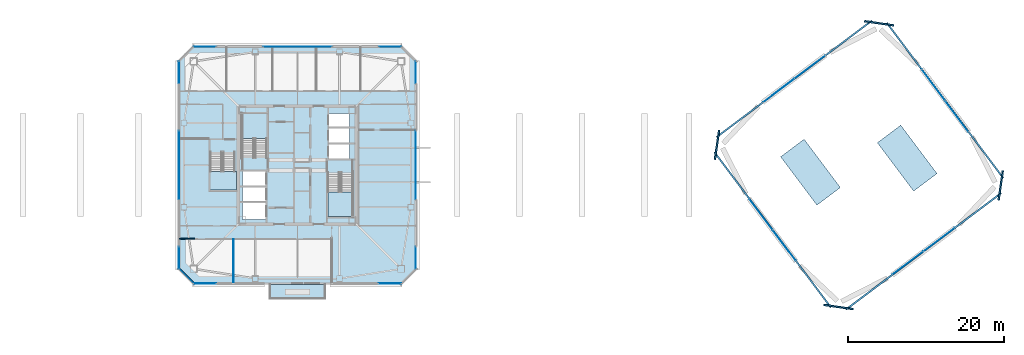
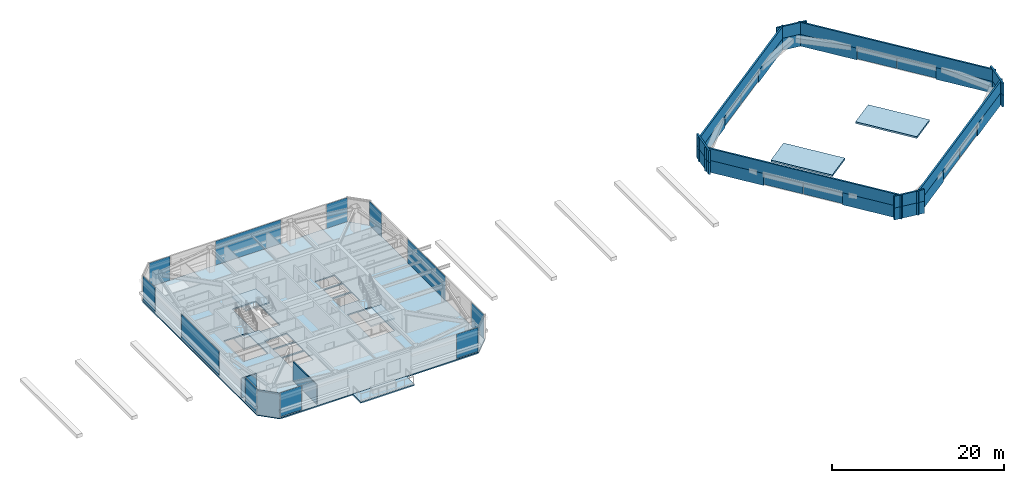
# One storey, part 24 of 31: 39 plates, 7 slabs, 3 walls, 18 elements without a shape of their own.
"""IFC4 building model written with IfcOpenShell, lengths in metres."""

from ifc_helpers import new_model, si_unit, direction, frame, frame_2d, origin, origin_2d, place, context, subcontext, project, spatial, polyline, rectangle, outline, extrude, material, layer, layer_set, type_object, element, aggregate, save


model = new_model("IFC4")

# Units and contexts
model_context = context("Model", 3, precision=1e-05, world=origin(), true_north=direction((0.0, 1.0)))
body_context = subcontext(model_context, "Body", "Model", "MODEL_VIEW")
ifc_project = project(units=[si_unit("LENGTHUNIT", "METRE"), si_unit("AREAUNIT", "SQUARE_METRE"), si_unit("VOLUMEUNIT", "CUBIC_METRE"), si_unit("PLANEANGLEUNIT", "RADIAN"), si_unit("MASSUNIT", "GRAM", prefix="KILO")], contexts=[model_context])

# Site, building, storey
site_placement = place(None, origin())
site = spatial("IfcSite", under=ifc_project, at=site_placement, CompositionType="ELEMENT")
building_placement = place(site_placement, origin())
building = spatial("IfcBuilding", under=site, at=building_placement, Name="Tashvorn Skyway Center", CompositionType="ELEMENT")
storey_placement = place(building_placement, frame((0.0, 0.0, 266.949951171875)))
storey = spatial("IfcBuildingStorey", under=building, at=storey_placement, Name="L72", CompositionType="ELEMENT", Elevation=266.949951171875)

# Curtain wall, plates
ifc_material_1 = material(Name="Thermally broken bronze-anodized aluminium 6063-T6", Category="aluminium")
curtain_wall_type_1 = type_object("IfcCurtainWallType", Name="CW-CW-SKY", PredefinedType="NOTDEFINED", material=ifc_material_1)
curtain_wall_1_placement = place(storey_placement, origin())
curtain_wall_1 = element("IfcCurtainWall", 1, at=curtain_wall_1_placement, inside=storey, type_object=curtain_wall_type_1, Name="CROWN Lantern Fritted Curtain Wall T2 S-4", PredefinedType="NOTDEFINED")
ifc_material_2 = material(Name="Low-E solar-control double insulating safety glass", Category="glass")
ifc_layer_1 = layer(ifc_material_2, 0.028076171875)
ifc_layer_set_1 = layer_set([ifc_layer_1], Name="Low-E solar-control double insulating safety glass")
plate_type_1 = type_object("IfcPlateType", Name="CWP-CW-SKY", PredefinedType="CURTAIN_PANEL", material=ifc_layer_set_1)
plate_1_placement = place(storey_placement, frame((124.299072265625, 22.44921875, 1.51025390625), z_axis=(0.0, 0.0, 1.0), x_axis=(-0.799999999998, -0.600000000002, 0.0)))
plate_1 = element("IfcPlate", 2, at=plate_1_placement, type_object=plate_type_1, Name="CW-SKY panel 1.1", PredefinedType="CURTAIN_PANEL", context=body_context, shape_type="SweptSolid", body=[
    extrude(rectangle(XDim=4.952392578125, YDim=0.028076171875, at=origin_2d()), origin(), (0.0, 0.0, 1.0), 1.534912109375),
])
plate_2_placement = place(storey_placement, frame((120.284912109375, 19.438720703125, 1.51025390625), z_axis=(0.0, 0.0, 1.0), x_axis=(-0.799999999998, -0.600000000002, 0.0)))
plate_2 = element("IfcPlate", 3, at=plate_2_placement, type_object=plate_type_1, Name="CW-SKY panel 2.1", PredefinedType="CURTAIN_PANEL", context=body_context, shape_type="SweptSolid", body=[
    extrude(rectangle(XDim=4.952392578125, YDim=0.028076171875, at=origin_2d()), origin(), (0.0, 0.0, 1.0), 1.534912109375),
])
aggregate(curtain_wall_1, [plate_1, plate_2])

curtain_wall_2_placement = place(storey_placement, origin())
curtain_wall_2 = element("IfcCurtainWall", 4, at=curtain_wall_2_placement, inside=storey, type_object=curtain_wall_type_1, Name="CROWN Lantern Fritted Curtain Wall T2 E-4", PredefinedType="NOTDEFINED")
plate_3_placement = place(storey_placement, frame((123.55078125, 42.299072265625, 1.51025390625), z_axis=(0.0, 0.0, 1.0), x_axis=(0.600000000002, -0.799999999998, 0.0)))
plate_3 = element("IfcPlate", 5, at=plate_3_placement, type_object=plate_type_1, Name="CW-SKY panel 1.1", PredefinedType="CURTAIN_PANEL", context=body_context, shape_type="SweptSolid", body=[
    extrude(rectangle(XDim=4.952392578125, YDim=0.028076171875, at=origin_2d()), origin(), (0.0, 0.0, 1.0), 1.534912109375),
])
plate_4_placement = place(storey_placement, frame((126.561279296875, 38.284912109375, 1.51025390625), z_axis=(0.0, 0.0, 1.0), x_axis=(0.600000000002, -0.799999999998, 0.0)))
plate_4 = element("IfcPlate", 6, at=plate_4_placement, type_object=plate_type_1, Name="CW-SKY panel 2.1", PredefinedType="CURTAIN_PANEL", context=body_context, shape_type="SweptSolid", body=[
    extrude(rectangle(XDim=4.952392578125, YDim=0.028076171875, at=origin_2d()), origin(), (0.0, 0.0, 1.0), 1.534912109375),
])
aggregate(curtain_wall_2, [plate_3, plate_4])

curtain_wall_3_placement = place(storey_placement, origin())
curtain_wall_3 = element("IfcCurtainWall", 7, at=curtain_wall_3_placement, inside=storey, type_object=curtain_wall_type_1, Name="CROWN Lantern Fritted Curtain Wall T2 N-4", PredefinedType="NOTDEFINED")
plate_5_placement = place(storey_placement, frame((103.700927734375, 41.55078125, 1.51025390625), z_axis=(0.0, 0.0, 1.0), x_axis=(0.799999999998, 0.600000000002, 0.0)))
plate_5 = element("IfcPlate", 8, at=plate_5_placement, type_object=plate_type_1, Name="CW-SKY panel 1.1", PredefinedType="CURTAIN_PANEL", context=body_context, shape_type="SweptSolid", body=[
    extrude(rectangle(XDim=4.952392578125, YDim=0.028076171875, at=origin_2d()), origin(), (0.0, 0.0, 1.0), 1.534912109375),
])
plate_6_placement = place(storey_placement, frame((107.715087890625, 44.561279296875, 1.51025390625), z_axis=(0.0, 0.0, 1.0), x_axis=(0.799999999998, 0.600000000002, 0.0)))
plate_6 = element("IfcPlate", 9, at=plate_6_placement, type_object=plate_type_1, Name="CW-SKY panel 2.1", PredefinedType="CURTAIN_PANEL", context=body_context, shape_type="SweptSolid", body=[
    extrude(rectangle(XDim=4.952392578125, YDim=0.028076171875, at=origin_2d()), origin(), (0.0, 0.0, 1.0), 1.534912109375),
])
aggregate(curtain_wall_3, [plate_5, plate_6])

curtain_wall_4_placement = place(storey_placement, origin())
curtain_wall_4 = element("IfcCurtainWall", 10, at=curtain_wall_4_placement, inside=storey, type_object=curtain_wall_type_1, Name="CROWN Lantern Fritted Curtain Wall T2 W-4", PredefinedType="NOTDEFINED")
plate_7_placement = place(storey_placement, frame((104.44921875, 21.700927734375, 1.51025390625), z_axis=(0.0, 0.0, 1.0), x_axis=(-0.600000000002, 0.799999999998, 0.0)))
plate_7 = element("IfcPlate", 11, at=plate_7_placement, type_object=plate_type_1, Name="CW-SKY panel 1.1", PredefinedType="CURTAIN_PANEL", context=body_context, shape_type="SweptSolid", body=[
    extrude(rectangle(XDim=4.952392578125, YDim=0.028076171875, at=origin_2d()), origin(), (0.0, 0.0, 1.0), 1.534912109375),
])
plate_8_placement = place(storey_placement, frame((101.438720703125, 25.715087890625, 1.51025390625), z_axis=(0.0, 0.0, 1.0), x_axis=(-0.600000000002, 0.799999999998, 0.0)))
plate_8 = element("IfcPlate", 12, at=plate_8_placement, type_object=plate_type_1, Name="CW-SKY panel 2.1", PredefinedType="CURTAIN_PANEL", context=body_context, shape_type="SweptSolid", body=[
    extrude(rectangle(XDim=4.952392578125, YDim=0.028076171875, at=origin_2d()), origin(), (0.0, 0.0, 1.0), 1.534912109375),
])
aggregate(curtain_wall_4, [plate_7, plate_8])

# Curtain wall, plate
curtain_wall_type_2 = type_object("IfcCurtainWallType", Name="CW-CW-Z5", PredefinedType="NOTDEFINED", material=ifc_material_1)
curtain_wall_5_placement = place(storey_placement, origin())
curtain_wall_5 = element("IfcCurtainWall", 13, at=curtain_wall_5_placement, inside=storey, type_object=curtain_wall_type_2, Name="Tower 1 L72 South Curtain Wall L Glazing Group 1", PredefinedType="NOTDEFINED")
ifc_layer_2 = layer(ifc_material_2, 0.031982421875)
ifc_layer_set_2 = layer_set([ifc_layer_2], Name="Low-E solar-control double insulating safety glass")
plate_type_2 = type_object("IfcPlateType", Name="CWP-CW-Z5", PredefinedType="CURTAIN_PANEL", material=ifc_layer_set_2)
plate_9_placement = place(storey_placement, frame((53.8583984375, 16.820068359375, 0.0703125), z_axis=(0.0, 0.0, 1.0), x_axis=(-1.0, 0.0, 0.0)))
plate_9 = element("IfcPlate", 14, at=plate_9_placement, type_object=plate_type_2, Name="CW-Z5 panel 1.1", PredefinedType="CURTAIN_PANEL", context=body_context, shape_type="SweptSolid", body=[
    extrude(rectangle(XDim=2.9033203125, YDim=0.031982421875, at=origin_2d()), origin(), (0.0, 0.0, 1.0), 3.409912109375),
])
aggregate(curtain_wall_5, [plate_9])

curtain_wall_6_placement = place(storey_placement, origin())
curtain_wall_6 = element("IfcCurtainWall", 15, at=curtain_wall_6_placement, inside=storey, type_object=curtain_wall_type_2, Name="Tower 1 L72 South Curtain Wall R Glazing Group 1", PredefinedType="NOTDEFINED")
plate_10_placement = place(storey_placement, frame((30.1416015625, 16.820068359375, 0.0703125), z_axis=(0.0, 0.0, 1.0), x_axis=(-1.0, 0.0, 0.0)))
plate_10 = element("IfcPlate", 16, at=plate_10_placement, type_object=plate_type_2, Name="CW-Z5 panel 1.1", PredefinedType="CURTAIN_PANEL", context=body_context, shape_type="SweptSolid", body=[
    extrude(rectangle(XDim=2.9033203125, YDim=0.031982421875, at=origin_2d()), origin(), (0.0, 0.0, 1.0), 3.409912109375),
])
aggregate(curtain_wall_6, [plate_10])

curtain_wall_7_placement = place(storey_placement, origin())
curtain_wall_7 = element("IfcCurtainWall", 17, at=curtain_wall_7_placement, inside=storey, type_object=curtain_wall_type_2, Name="Tower 1 L72 West Unitised Curtain Wall Glazing Group 1", PredefinedType="NOTDEFINED")
plate_11_placement = place(storey_placement, frame((26.820068359375, 20.106689453125, 0.0703125), z_axis=(0.0, 0.0, 1.0), x_axis=(0.0, 1.0, 0.0)))
plate_11 = element("IfcPlate", 18, at=plate_11_placement, type_object=plate_type_2, Name="CW-Z5 panel 1.1", PredefinedType="CURTAIN_PANEL", context=body_context, shape_type="SweptSolid", body=[
    extrude(rectangle(XDim=2.833251953125, YDim=0.031982421875, at=origin_2d()), origin(), (0.0, 0.0, 1.0), 3.409912109375),
])
aggregate(curtain_wall_7, [plate_11])

curtain_wall_8_placement = place(storey_placement, origin())
curtain_wall_8 = element("IfcCurtainWall", 19, at=curtain_wall_8_placement, inside=storey, type_object=curtain_wall_type_2, Name="Tower 1 L72 West Unitised Curtain Wall Glazing Group 2", PredefinedType="NOTDEFINED")
plate_12_placement = place(storey_placement, frame((26.820068359375, 32.0, 0.0703125), z_axis=(0.0, 0.0, 1.0), x_axis=(0.0, 1.0, 0.0)))
plate_12 = element("IfcPlate", 20, at=plate_12_placement, type_object=plate_type_2, Name="CW-Z5 panel 1.1", PredefinedType="CURTAIN_PANEL", context=body_context, shape_type="SweptSolid", body=[
    extrude(rectangle(XDim=8.780029296875, YDim=0.031982421875, at=origin_2d()), origin(), (0.0, 0.0, 1.0), 3.409912109375),
])
aggregate(curtain_wall_8, [plate_12])

curtain_wall_9_placement = place(storey_placement, origin())
curtain_wall_9 = element("IfcCurtainWall", 21, at=curtain_wall_9_placement, inside=storey, type_object=curtain_wall_type_2, Name="Tower 1 L72 West Unitised Curtain Wall Glazing Group 3", PredefinedType="NOTDEFINED")
plate_13_placement = place(storey_placement, frame((26.820068359375, 43.893310546875, 0.0703125), z_axis=(0.0, 0.0, 1.0), x_axis=(0.0, 1.0, 0.0)))
plate_13 = element("IfcPlate", 22, at=plate_13_placement, type_object=plate_type_2, Name="CW-Z5 panel 1.1", PredefinedType="CURTAIN_PANEL", context=body_context, shape_type="SweptSolid", body=[
    extrude(rectangle(XDim=2.833251953125, YDim=0.031982421875, at=origin_2d()), origin(), (0.0, 0.0, 1.0), 3.409912109375),
])
aggregate(curtain_wall_9, [plate_13])

curtain_wall_10_placement = place(storey_placement, origin())
curtain_wall_10 = element("IfcCurtainWall", 23, at=curtain_wall_10_placement, inside=storey, type_object=curtain_wall_type_2, Name="Tower 1 L72 North Unitised Curtain Wall Glazing Group 1", PredefinedType="NOTDEFINED")
plate_14_placement = place(storey_placement, frame((30.106689453125, 47.179931640625, 0.0703125), z_axis=(0.0, 0.0, 1.0), x_axis=(1.0, 0.0, 0.0)))
plate_14 = element("IfcPlate", 24, at=plate_14_placement, type_object=plate_type_2, Name="CW-Z5 panel 1.1", PredefinedType="CURTAIN_PANEL", context=body_context, shape_type="SweptSolid", body=[
    extrude(rectangle(XDim=2.833251953125, YDim=0.031982421875, at=origin_2d()), origin(), (0.0, 0.0, 1.0), 3.409912109375),
])
aggregate(curtain_wall_10, [plate_14])

curtain_wall_11_placement = place(storey_placement, origin())
curtain_wall_11 = element("IfcCurtainWall", 25, at=curtain_wall_11_placement, inside=storey, type_object=curtain_wall_type_2, Name="Tower 1 L72 North Unitised Curtain Wall Glazing Group 2", PredefinedType="NOTDEFINED")
plate_15_placement = place(storey_placement, frame((42.0, 47.179931640625, 0.0703125), z_axis=(0.0, 0.0, 1.0), x_axis=(1.0, 0.0, 0.0)))
plate_15 = element("IfcPlate", 26, at=plate_15_placement, type_object=plate_type_2, Name="CW-Z5 panel 1.1", PredefinedType="CURTAIN_PANEL", context=body_context, shape_type="SweptSolid", body=[
    extrude(rectangle(XDim=8.780029296875, YDim=0.031982421875, at=origin_2d()), origin(), (0.0, 0.0, 1.0), 3.409912109375),
])
aggregate(curtain_wall_11, [plate_15])

curtain_wall_12_placement = place(storey_placement, origin())
curtain_wall_12 = element("IfcCurtainWall", 27, at=curtain_wall_12_placement, inside=storey, type_object=curtain_wall_type_2, Name="Tower 1 L72 North Unitised Curtain Wall Glazing Group 3", PredefinedType="NOTDEFINED")
plate_16_placement = place(storey_placement, frame((53.893310546875, 47.179931640625, 0.0703125), z_axis=(0.0, 0.0, 1.0), x_axis=(1.0, 0.0, 0.0)))
plate_16 = element("IfcPlate", 28, at=plate_16_placement, type_object=plate_type_2, Name="CW-Z5 panel 1.1", PredefinedType="CURTAIN_PANEL", context=body_context, shape_type="SweptSolid", body=[
    extrude(rectangle(XDim=2.833251953125, YDim=0.031982421875, at=origin_2d()), origin(), (0.0, 0.0, 1.0), 3.409912109375),
])
aggregate(curtain_wall_12, [plate_16])

curtain_wall_13_placement = place(storey_placement, origin())
curtain_wall_13 = element("IfcCurtainWall", 29, at=curtain_wall_13_placement, inside=storey, type_object=curtain_wall_type_2, Name="Tower 1 L72 East Unitised Curtain Wall Glazing Group 1", PredefinedType="NOTDEFINED")
plate_17_placement = place(storey_placement, frame((57.179931640625, 43.893310546875, 0.0703125), z_axis=(0.0, 0.0, 1.0), x_axis=(0.0, -1.0, 0.0)))
plate_17 = element("IfcPlate", 30, at=plate_17_placement, type_object=plate_type_2, Name="CW-Z5 panel 1.1", PredefinedType="CURTAIN_PANEL", context=body_context, shape_type="SweptSolid", body=[
    extrude(rectangle(XDim=2.833251953125, YDim=0.031982421875, at=origin_2d()), origin(), (0.0, 0.0, 1.0), 3.409912109375),
])
aggregate(curtain_wall_13, [plate_17])

curtain_wall_14_placement = place(storey_placement, origin())
curtain_wall_14 = element("IfcCurtainWall", 31, at=curtain_wall_14_placement, inside=storey, type_object=curtain_wall_type_2, Name="Tower 1 L72 East Unitised Curtain Wall Glazing Group 2", PredefinedType="NOTDEFINED")
plate_18_placement = place(storey_placement, frame((57.179931640625, 32.0, 0.0703125), z_axis=(0.0, 0.0, 1.0), x_axis=(0.0, -1.0, 0.0)))
plate_18 = element("IfcPlate", 32, at=plate_18_placement, type_object=plate_type_2, Name="CW-Z5 panel 1.1", PredefinedType="CURTAIN_PANEL", context=body_context, shape_type="SweptSolid", body=[
    extrude(rectangle(XDim=8.780029296875, YDim=0.031982421875, at=origin_2d()), origin(), (0.0, 0.0, 1.0), 3.409912109375),
])
aggregate(curtain_wall_14, [plate_18])

curtain_wall_15_placement = place(storey_placement, origin())
curtain_wall_15 = element("IfcCurtainWall", 33, at=curtain_wall_15_placement, inside=storey, type_object=curtain_wall_type_2, Name="Tower 1 L72 East Unitised Curtain Wall Glazing Group 3", PredefinedType="NOTDEFINED")
plate_19_placement = place(storey_placement, frame((57.179931640625, 20.106689453125, 0.0703125), z_axis=(0.0, 0.0, 1.0), x_axis=(0.0, -1.0, 0.0)))
plate_19 = element("IfcPlate", 34, at=plate_19_placement, type_object=plate_type_2, Name="CW-Z5 panel 1.1", PredefinedType="CURTAIN_PANEL", context=body_context, shape_type="SweptSolid", body=[
    extrude(rectangle(XDim=2.833251953125, YDim=0.031982421875, at=origin_2d()), origin(), (0.0, 0.0, 1.0), 3.409912109375),
])
aggregate(curtain_wall_15, [plate_19])

# Plates
ifc_material_3 = material(Name="Perforated ceramic-coated bronze aluminium solar screen", Category="aluminium")
ifc_layer_3 = layer(ifc_material_3, 0.219970703125)
ifc_layer_set_3 = layer_set([ifc_layer_3], Name="Perforated ceramic-coated bronze aluminium solar screen")
plate_type_3 = type_object("IfcPlateType", Name="PLT-CROWN-SCREEN", PredefinedType="USERDEFINED", material=ifc_layer_set_3)
for number, where, z_axis, x_axis, name in (
    (35, (129.27197265625, 26.178955078125, 1.425048828125), (0.0, 0.0, 1.0), (0.799999996291, 0.600000004945, 0.0), "CROWN Solar Screen Flanking Panel T2 S-4L"),
    (36, (115.31201171875, 15.708984375, 1.425048828125), (0.0, 0.0, 1.0), (0.799999996291, 0.600000004945, 0.0), "CROWN Solar Screen Flanking Panel T2 S-4R"),
):
    element("IfcPlate", number, at=place(storey_placement, frame(where, z_axis=z_axis, x_axis=x_axis)), inside=storey, type_object=plate_type_3, Name=name, ObjectType="SOLAR SCREEN", PredefinedType="USERDEFINED", context=body_context, shape_type="SweptSolid", body=[
        extrude(rectangle(XDim=7.449951171875, YDim=0.219970703125, at=origin_2d()), origin(), (0.0, 0.0, 1.0), 1.705078125),
    ])
plate_20_placement = place(storey_placement, frame((122.2919921875, 20.944091796875, 3.090087890625), z_axis=(0.0, 0.0, 1.0), x_axis=(0.799999996291, 0.600000004945, 0.0)))
element("IfcPlate", 37, at=plate_20_placement, inside=storey, type_object=plate_type_3, Name="CROWN Perforated Ceramic-Metal Solar Screen Panel T2 S-5", ObjectType="SOLAR SCREEN", PredefinedType="USERDEFINED", context=body_context, shape_type="SweptSolid", body=[
    extrude(rectangle(XDim=24.89990234375, YDim=0.219970703125, at=origin_2d()), origin(), (0.0, 0.0, 1.0), 1.705078125),
])
for number, where, z_axis, x_axis, name in (
    (38, (119.821044921875, 47.27197265625, 1.425048828125), (0.0, 0.0, 1.0), (-0.600000004945, 0.799999996291, 0.0), "CROWN Solar Screen Flanking Panel T2 E-4L"),
    (39, (130.291015625, 33.31201171875, 1.425048828125), (0.0, 0.0, 1.0), (-0.600000004945, 0.799999996291, 0.0), "CROWN Solar Screen Flanking Panel T2 E-4R"),
):
    element("IfcPlate", number, at=place(storey_placement, frame(where, z_axis=z_axis, x_axis=x_axis)), inside=storey, type_object=plate_type_3, Name=name, ObjectType="SOLAR SCREEN", PredefinedType="USERDEFINED", context=body_context, shape_type="SweptSolid", body=[
        extrude(rectangle(XDim=7.449951171875, YDim=0.219970703125, at=origin_2d()), origin(), (0.0, 0.0, 1.0), 1.705078125),
    ])
plate_21_placement = place(storey_placement, frame((125.055908203125, 40.2919921875, 3.090087890625), z_axis=(0.0, 0.0, 1.0), x_axis=(-0.600000004945, 0.799999996291, 0.0)))
element("IfcPlate", 40, at=plate_21_placement, inside=storey, type_object=plate_type_3, Name="CROWN Perforated Ceramic-Metal Solar Screen Panel T2 E-5", ObjectType="SOLAR SCREEN", PredefinedType="USERDEFINED", context=body_context, shape_type="SweptSolid", body=[
    extrude(rectangle(XDim=24.89990234375, YDim=0.219970703125, at=origin_2d()), origin(), (0.0, 0.0, 1.0), 1.705078125),
])
for number, where, z_axis, x_axis, name in (
    (41, (98.72802734375, 37.821044921875, 1.425048828125), (0.0, 0.0, 1.0), (-0.799999996291, -0.600000004945, 0.0), "CROWN Solar Screen Flanking Panel T2 N-4L"),
    (42, (112.68798828125, 48.291015625, 1.425048828125), (0.0, 0.0, 1.0), (-0.799999996291, -0.600000004945, 0.0), "CROWN Solar Screen Flanking Panel T2 N-4R"),
):
    element("IfcPlate", number, at=place(storey_placement, frame(where, z_axis=z_axis, x_axis=x_axis)), inside=storey, type_object=plate_type_3, Name=name, ObjectType="SOLAR SCREEN", PredefinedType="USERDEFINED", context=body_context, shape_type="SweptSolid", body=[
        extrude(rectangle(XDim=7.449951171875, YDim=0.219970703125, at=origin_2d()), origin(), (0.0, 0.0, 1.0), 1.705078125),
    ])
plate_22_placement = place(storey_placement, frame((105.7080078125, 43.055908203125, 3.090087890625), z_axis=(0.0, 0.0, 1.0), x_axis=(-0.799999996291, -0.600000004945, 0.0)))
element("IfcPlate", 43, at=plate_22_placement, inside=storey, type_object=plate_type_3, Name="CROWN Perforated Ceramic-Metal Solar Screen Panel T2 N-5", ObjectType="SOLAR SCREEN", PredefinedType="USERDEFINED", context=body_context, shape_type="SweptSolid", body=[
    extrude(rectangle(XDim=24.89990234375, YDim=0.219970703125, at=origin_2d()), origin(), (0.0, 0.0, 1.0), 1.705078125),
])
for number, where, z_axis, x_axis, name in (
    (44, (108.178955078125, 16.72802734375, 1.425048828125), (0.0, 0.0, 1.0), (0.600000004945, -0.799999996291, 0.0), "CROWN Solar Screen Flanking Panel T2 W-4L"),
    (45, (97.708984375, 30.68798828125, 1.425048828125), (0.0, 0.0, 1.0), (0.600000004945, -0.799999996291, 0.0), "CROWN Solar Screen Flanking Panel T2 W-4R"),
):
    element("IfcPlate", number, at=place(storey_placement, frame(where, z_axis=z_axis, x_axis=x_axis)), inside=storey, type_object=plate_type_3, Name=name, ObjectType="SOLAR SCREEN", PredefinedType="USERDEFINED", context=body_context, shape_type="SweptSolid", body=[
        extrude(rectangle(XDim=7.449951171875, YDim=0.219970703125, at=origin_2d()), origin(), (0.0, 0.0, 1.0), 1.705078125),
    ])
plate_23_placement = place(storey_placement, frame((102.944091796875, 23.7080078125, 3.090087890625), z_axis=(0.0, 0.0, 1.0), x_axis=(0.600000004945, -0.799999996291, 0.0)))
element("IfcPlate", 46, at=plate_23_placement, inside=storey, type_object=plate_type_3, Name="CROWN Perforated Ceramic-Metal Solar Screen Panel T2 W-5", ObjectType="SOLAR SCREEN", PredefinedType="USERDEFINED", context=body_context, shape_type="SweptSolid", body=[
    extrude(rectangle(XDim=24.89990234375, YDim=0.219970703125, at=origin_2d()), origin(), (0.0, 0.0, 1.0), 1.705078125),
])
for number, where, z_axis, x_axis, name in (
    (47, (111.40087890625, 13.806884765625, 1.425048828125), (0.0, 0.0, 1.0), (-0.989949494535, 0.141421350118, 0.0), "CROWN Perforated Ceramic-Metal Solar Screen Chamfer Panel T2 SW-4"),
    (48, (111.40087890625, 13.806884765625, 3.090087890625), (0.0, 0.0, 1.0), (-0.989949494535, 0.141421350118, 0.0), "CROWN Perforated Ceramic-Metal Solar Screen Chamfer Panel T2 SW-5"),
    (49, (132.193115234375, 29.40087890625, 1.425048828125), (0.0, 0.0, 1.0), (0.141421350118, 0.989949494535, 0.0), "CROWN Perforated Ceramic-Metal Solar Screen Chamfer Panel T2 SE-4"),
    (50, (132.193115234375, 29.40087890625, 3.090087890625), (0.0, 0.0, 1.0), (0.141421350118, 0.989949494535, 0.0), "CROWN Perforated Ceramic-Metal Solar Screen Chamfer Panel T2 SE-5"),
    (51, (116.59912109375, 50.193115234375, 1.425048828125), (0.0, 0.0, 1.0), (0.989949494535, -0.141421350118, 0.0), "CROWN Perforated Ceramic-Metal Solar Screen Chamfer Panel T2 NE-4"),
    (52, (116.59912109375, 50.193115234375, 3.090087890625), (0.0, 0.0, 1.0), (0.989949494535, -0.141421350118, 0.0), "CROWN Perforated Ceramic-Metal Solar Screen Chamfer Panel T2 NE-5"),
    (53, (95.806884765625, 34.59912109375, 1.425048828125), (0.0, 0.0, 1.0), (-0.141421350118, -0.989949494535, 0.0), "CROWN Perforated Ceramic-Metal Solar Screen Chamfer Panel T2 NW-4"),
    (54, (95.806884765625, 34.59912109375, 3.090087890625), (0.0, 0.0, 1.0), (-0.141421350118, -0.989949494535, 0.0), "CROWN Perforated Ceramic-Metal Solar Screen Chamfer Panel T2 NW-5"),
):
    element("IfcPlate", number, at=place(storey_placement, frame(where, z_axis=z_axis, x_axis=x_axis)), inside=storey, type_object=plate_type_3, Name=name, ObjectType="SOLAR SCREEN", PredefinedType="USERDEFINED", context=body_context, shape_type="SweptSolid", body=[
        extrude(rectangle(XDim=3.795654296875, YDim=0.219970703125, at=origin_2d()), origin(), (0.0, 0.0, 1.0), 1.705078125),
    ])

# Slab
ifc_material_4 = material(Name="Concrete C40/50", Category="concrete")
ifc_layer_4 = layer(ifc_material_4, 0.179931640625)
ifc_layer_set_4 = layer_set([ifc_layer_4], Name="Concrete C40/50")
slab_type_1 = type_object("IfcSlabType", Name="SLAB-FLR-180", PredefinedType="FLOOR", material=ifc_layer_set_4)
slab_1_placement = place(storey_placement, frame((0.0, 0.0, -0.179931640625)))
element("IfcSlab", 55, at=slab_1_placement, inside=storey, type_object=slab_type_1, Name="Tower 1 L72 Composite Floor Slab", PredefinedType="FLOOR", context=body_context, shape_type="SweptSolid", body=[
    extrude(outline(polyline([(28.699951171875, 16.699951171875), (55.300048828125, 16.699951171875), (57.300048828125, 18.699951171875), (57.300048828125, 45.300048828125), (55.300048828125, 47.300048828125), (28.699951171875, 47.300048828125), (26.699951171875, 45.300048828125), (26.699951171875, 18.699951171875), (28.699951171875, 16.699951171875)]), holes=[polyline([(38.10009765625, 33.080078125), (38.10009765625, 38.60009765625), (34.89990234375, 38.60009765625), (34.89990234375, 33.080078125), (38.10009765625, 33.080078125)]), polyline([(45.89990234375, 30.919921875), (45.89990234375, 25.39990234375), (49.10009765625, 25.39990234375), (49.10009765625, 30.919921875), (45.89990234375, 30.919921875)]), polyline([(30.800048828125, 33.52001953125), (30.800048828125, 28.800048828125), (34.0, 28.800048828125), (34.0, 33.52001953125), (30.800048828125, 33.52001953125)]), polyline([(34.949951171875, 29.35009765625), (37.949951171875, 29.35009765625), (37.949951171875, 31.199951171875), (34.949951171875, 31.199951171875), (34.949951171875, 29.35009765625)]), polyline([(34.949951171875, 27.35009765625), (37.949951171875, 27.35009765625), (37.949951171875, 29.199951171875), (34.949951171875, 29.199951171875), (34.949951171875, 27.35009765625)]), polyline([(34.949951171875, 25.0), (37.949951171875, 25.0), (37.949951171875, 27.14990234375), (34.949951171875, 27.14990234375), (34.949951171875, 25.0)]), polyline([(46.050048828125, 32.800048828125), (48.64990234375, 32.800048828125), (48.64990234375, 34.64990234375), (46.050048828125, 34.64990234375), (46.050048828125, 32.800048828125)]), polyline([(46.050048828125, 34.85009765625), (48.64990234375, 34.85009765625), (48.64990234375, 36.699951171875), (46.050048828125, 36.699951171875), (46.050048828125, 34.85009765625)]), polyline([(46.050048828125, 36.89990234375), (48.64990234375, 36.89990234375), (48.64990234375, 38.64990234375), (46.050048828125, 38.64990234375), (46.050048828125, 36.89990234375)])]), origin(), (0.0, 0.0, 1.0), 0.179931640625),
])

# Stair, slab
stair_type = type_object("IfcStairType", Name="STAIR-CORE-1500", PredefinedType="HALF_TURN_STAIR", material=ifc_material_4)
stair_1_placement = place(storey_placement, origin())
stair_1 = element("IfcStair", 56, at=stair_1_placement, inside=storey, type_object=stair_type, Name="L72 Tower 1 Exit Stair 1", PredefinedType="HALF_TURN_STAIR")
ifc_layer_5 = layer(ifc_material_4, 0.199951171875)
ifc_layer_set_5 = layer_set([ifc_layer_5], Name="Concrete C40/50")
slab_type_2 = type_object("IfcSlabType", Name="SLAB-LAND-200", PredefinedType="LANDING", material=ifc_layer_set_5)
slab_2_placement = place(storey_placement, frame((0.0, 0.0, 1.574951171875)))
slab_2 = element("IfcSlab", 57, at=slab_2_placement, type_object=slab_type_2, Name="ST-T1-1 landing 1", PredefinedType="LANDING", context=body_context, shape_type="SweptSolid", body=[
    extrude(outline(polyline([(38.10009765625, 35.43994140625), (38.10009765625, 38.60009765625), (34.89990234375, 38.60009765625), (34.89990234375, 35.43994140625), (38.10009765625, 35.43994140625)])), origin(), (0.0, 0.0, 1.0), 0.2001953125),
])
aggregate(stair_1, [slab_2])

stair_2_placement = place(storey_placement, origin())
stair_2 = element("IfcStair", 58, at=stair_2_placement, inside=storey, type_object=stair_type, Name="L72 Tower 1 Exit Stair 2", PredefinedType="HALF_TURN_STAIR")
slab_3_placement = place(storey_placement, frame((0.0, 0.0, 1.574951171875)))
slab_3 = element("IfcSlab", 59, at=slab_3_placement, type_object=slab_type_2, Name="ST-T1-2 landing 1", PredefinedType="LANDING", context=body_context, shape_type="SweptSolid", body=[
    extrude(outline(polyline([(45.89990234375, 28.56005859375), (45.89990234375, 25.39990234375), (49.10009765625, 25.39990234375), (49.10009765625, 28.56005859375), (45.89990234375, 28.56005859375)])), origin(), (0.0, 0.0, 1.0), 0.2001953125),
])
aggregate(stair_2, [slab_3])

stair_3_placement = place(storey_placement, origin())
stair_3 = element("IfcStair", 60, at=stair_3_placement, inside=storey, type_object=stair_type, Name="L72 Tower 1 Exit Stair 3", PredefinedType="HALF_TURN_STAIR")
slab_4_placement = place(storey_placement, frame((0.0, 0.0, 1.574951171875)))
slab_4 = element("IfcSlab", 61, at=slab_4_placement, type_object=slab_type_2, Name="ST-T1-3 landing 1", PredefinedType="LANDING", context=body_context, shape_type="SweptSolid", body=[
    extrude(outline(polyline([(30.800048828125, 31.159912109375), (30.800048828125, 28.800048828125), (34.199951171875, 28.800048828125), (34.199951171875, 31.159912109375), (30.800048828125, 31.159912109375)])), origin(), (0.0, 0.0, 1.0), 0.2001953125),
])
aggregate(stair_3, [slab_4])

# Slabs
ifc_layer_6 = layer(ifc_material_4, 0.25)
ifc_layer_set_6 = layer_set([ifc_layer_6], Name="Concrete C40/50")
slab_type_3 = type_object("IfcSlabType", Name="SLAB-ROOF-250", PredefinedType="ROOF", material=ifc_layer_set_6)
slab_5_placement = place(storey_placement, frame((0.0, 0.0, 0.050048828125)))
element("IfcSlab", 62, at=slab_5_placement, inside=storey, type_object=slab_type_3, Name="Tower 2 Stair 1 Penthouse Cap Slab", PredefinedType="ROOF", context=body_context, shape_type="SweptSolid", body=[
    extrude(outline(polyline([(108.6240234375, 26.867919921875), (111.632080078125, 29.1240234375), (106.97607421875, 35.33203125), (103.968017578125, 33.075927734375), (108.6240234375, 26.867919921875)])), origin(), (0.0, 0.0, 1.0), 0.25),
])
slab_6_placement = place(storey_placement, frame((0.0, 0.0, 0.050048828125)))
element("IfcSlab", 63, at=slab_6_placement, inside=storey, type_object=slab_type_3, Name="Tower 2 Stair 2 Penthouse Cap Slab", PredefinedType="ROOF", context=body_context, shape_type="SweptSolid", body=[
    extrude(outline(polyline([(121.02392578125, 28.66796875), (124.031982421875, 30.924072265625), (119.3759765625, 37.132080078125), (116.367919921875, 34.8759765625), (121.02392578125, 28.66796875)])), origin(), (0.0, 0.0, 1.0), 0.25),
])
ifc_layer_7 = layer(ifc_material_4, 0.179931640625)
ifc_layer_set_7 = layer_set([ifc_layer_7], Name="Concrete C40/50")
slab_type_4 = type_object("IfcSlabType", Name="SLAB-TERR-200", PredefinedType="FLOOR", material=ifc_layer_set_7)
slab_7_placement = place(storey_placement, frame((0.0, 0.0, -0.179931640625)))
element("IfcSlab", 64, at=slab_7_placement, inside=storey, type_object=slab_type_4, Name="Tower 1 L72 Spiral Planted Terrace Slab", PredefinedType="FLOOR", context=body_context, shape_type="SweptSolid", body=[
    extrude(outline(polyline([(38.39990234375, 14.800048828125), (45.60009765625, 14.800048828125), (45.60009765625, 16.7099609375), (38.39990234375, 16.7099609375), (38.39990234375, 14.800048828125)])), origin(), (0.0, 0.0, 1.0), 0.179931640625),
])

# Walls
ifc_material_5 = material(Name="Precast concrete C40/50", Category="concrete")
ifc_layer_8 = layer(ifc_material_5, 0.280029296875)
ifc_layer_set_8 = layer_set([ifc_layer_8], Name="Precast concrete C40/50")
wall_type_1 = type_object("IfcWallType", Name="WALL-EXT-280", PredefinedType="SOLIDWALL", material=ifc_layer_set_8)
wall_1_placement = place(storey_placement, frame((28.699951171875, 16.800048828125, 0.0), z_axis=(0.0, 0.0, 1.0), x_axis=(-0.707106781187, 0.707106781187, 0.0)))
element("IfcWall", 65, at=wall_1_placement, inside=storey, type_object=wall_type_1, Name="Tower 1 L72 SW Precast Chamfer Wall", PredefinedType="SOLIDWALL", context=body_context, shape_type="SweptSolid", body=[
    extrude(rectangle(XDim=2.686767578125, YDim=0.280029296875, at=frame_2d((1.34326171875, 0.0))), origin(), (0.0, 0.0, 1.0), 3.3701171875),
])
ifc_material_6 = material(Name="Gypsum board on cold-formed steel stud framing", Category="steel")
ifc_layer_9 = layer(ifc_material_6, 0.110107421875)
ifc_layer_set_9 = layer_set([ifc_layer_9], Name="Gypsum board on cold-formed steel stud framing")
wall_type_2 = type_object("IfcWallType", Name="WALL-PART-110", PredefinedType="PARTITIONING", material=ifc_layer_set_9)
wall_2_placement = place(storey_placement, frame((33.800048828125, 16.969970703125, 0.0), z_axis=(0.0, 0.0, 1.0), x_axis=(0.0, 1.0, 0.0)))
element("IfcWall", 66, at=wall_2_placement, inside=storey, type_object=wall_type_2, Name="Tower 1 L72 South Suite Partition 1", PredefinedType="PARTITIONING", context=body_context, shape_type="SweptSolid", body=[
    extrude(rectangle(XDim=5.5, YDim=0.110107421875, at=frame_2d((2.75, 0.0))), origin(), (0.0, 0.0, 1.0), 2.72314453125),
])
ifc_layer_10 = layer(ifc_material_6, 0.135009765625)
ifc_layer_set_10 = layer_set([ifc_layer_10], Name="Gypsum board on cold-formed steel stud framing")
wall_type_3 = type_object("IfcWallType", Name="WALL-PART-135", PredefinedType="PARTITIONING", material=ifc_layer_set_10)
wall_3_placement = place(storey_placement, frame((26.820068359375, 22.550048828125, 0.0), z_axis=(0.0, 0.0, 1.0), x_axis=(1.0, 0.0, 0.0)))
element("IfcWall", 67, at=wall_3_placement, inside=storey, type_object=wall_type_3, Name="Tower 1 L72 South-West Suite North Wall", PredefinedType="PARTITIONING", context=body_context, shape_type="SweptSolid", body=[
    extrude(rectangle(XDim=2.030029296875, YDim=0.135009765625, at=frame_2d((1.01513671875, 0.0))), origin(), (0.0, 0.0, 1.0), 2.72314453125),
])

save(model, "model.ifc")
